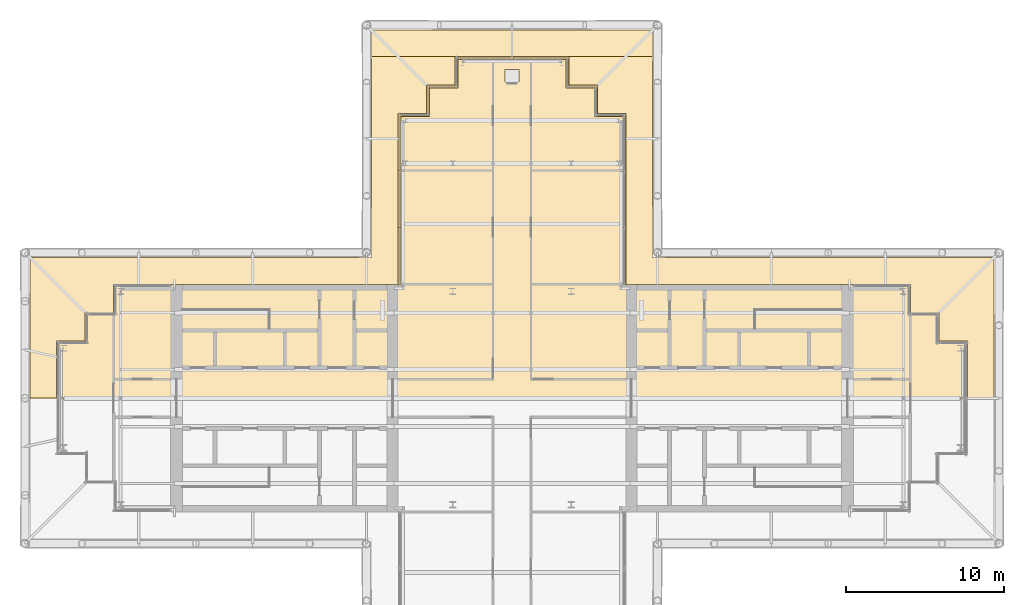
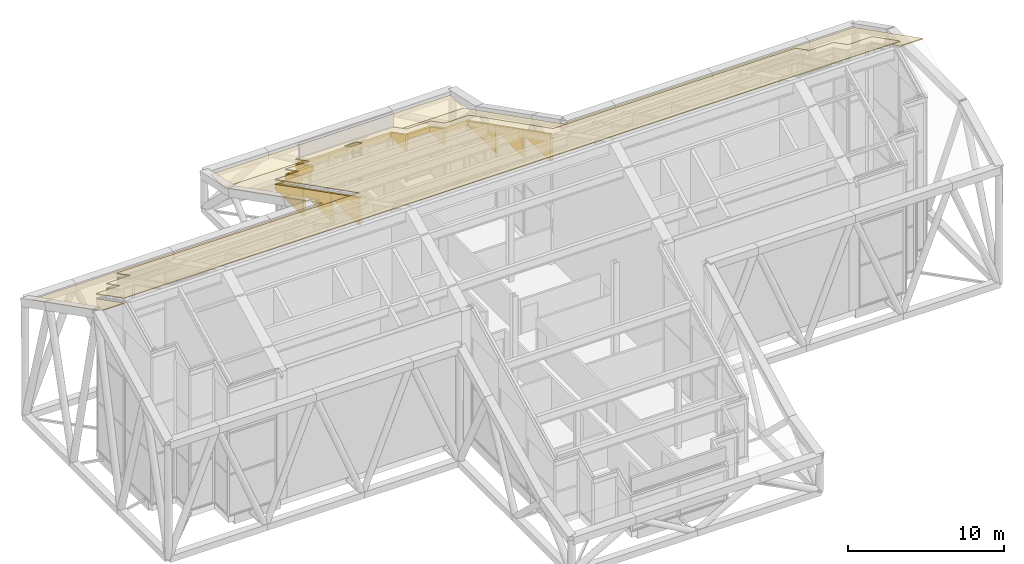
# One storey, part 25 of 25: 20 coverings, 1 opening.
"""IFC4 building model written with IfcOpenShell, lengths in metres."""

from ifc_helpers import new_model, si_unit, direction, frame, frame_2d, origin, place, context, subcontext, project, spatial, polyline, rectangle, outline, extrude, material, layer, layer_set, type_object, element, save


model = new_model("IFC4")

# Units and contexts
model_context = context("Model", 3, precision=1e-05, world=origin(), true_north=direction((0.0, 1.0)))
body_context = subcontext(model_context, "Body", "Model", "MODEL_VIEW")
ifc_project = project(units=[si_unit("LENGTHUNIT", "METRE"), si_unit("AREAUNIT", "SQUARE_METRE"), si_unit("VOLUMEUNIT", "CUBIC_METRE"), si_unit("PLANEANGLEUNIT", "RADIAN"), si_unit("MASSUNIT", "GRAM", prefix="KILO")], contexts=[model_context])

# Site, building, storey
site_placement = place(None, origin())
site = spatial("IfcSite", under=ifc_project, at=site_placement, CompositionType="ELEMENT")
building_placement = place(site_placement, origin())
building = spatial("IfcBuilding", under=site, at=building_placement, Name="Fustian Cross Tower", CompositionType="ELEMENT")
storey_placement = place(building_placement, frame((0.0, 0.0, 247.5)))
storey = spatial("IfcBuildingStorey", under=building, at=storey_placement, Name="L77", CompositionType="ELEMENT", Elevation=247.5)

# Coverings
ifc_material_1 = material(Name="Dark metal cladding on steel framing", Category="steel")
ifc_layer_1 = layer(ifc_material_1, 0.179931640625)
ifc_layer_set_1 = layer_set([ifc_layer_1], Name="Dark metal cladding on steel framing")
covering_type_1 = type_object("IfcCoveringType", Name="CROWN CLADDING PANEL 180", PredefinedType="CLADDING", material=ifc_layer_set_1)
covering_1_placement = place(storey_placement, frame((7.110107421875, 7.199951171875, 7.880615234375), z_axis=(0.0, 0.0, 1.0), x_axis=(0.0, 1.0, 0.0)))
element("IfcCovering", 1, at=covering_1_placement, inside=storey, type_object=covering_type_1, Name="Crown cladding 13", PredefinedType="CLADDING", context=body_context, shape_type="SweptSolid", body=[
    extrude(outline(polyline([(0.0, 0.0), (3.5400390625, 0.0), (3.5400390625, 0.349853515625), (0.0, 2.15283203125), (0.0, 0.0)])), frame((0.0, 0.08984375, 0.0), z_axis=(0.0, -1.0, 0.0), x_axis=(1.0, 0.0, 0.0)), (0.0, 0.0, 1.0), 0.179931640625),
])
covering_2_placement = place(storey_placement, frame((7.110107421875, 10.739990234375, 6.077880859375), z_axis=(0.0, 0.0, 1.0), x_axis=(0.0, 1.0, 0.0)))
element("IfcCovering", 2, at=covering_2_placement, inside=storey, type_object=covering_type_1, Name="Crown cladding 14", PredefinedType="CLADDING", context=body_context, shape_type="SweptSolid", body=[
    extrude(outline(polyline([(0.0, 0.0), (3.5400390625, 0.0), (3.5400390625, 0.349853515625), (0.0, 2.152587890625), (0.0, 0.0)])), frame((0.0, 0.08984375, 0.0), z_axis=(0.0, -1.0, 0.0), x_axis=(1.0, 0.0, 0.0)), (0.0, 0.0, 1.0), 0.179931640625),
])
covering_3_placement = place(storey_placement, frame((7.110107421875, 14.280029296875, 4.27490234375), z_axis=(0.0, 0.0, 1.0), x_axis=(0.0, 1.0, 0.0)))
element("IfcCovering", 3, at=covering_3_placement, inside=storey, type_object=covering_type_1, Name="Crown cladding 15", PredefinedType="CLADDING", context=body_context, shape_type="SweptSolid", body=[
    extrude(outline(polyline([(0.0, 0.0), (3.5400390625, 0.0), (3.5400390625, 0.35009765625), (0.0, 2.15283203125), (0.0, 0.0)])), frame((0.0, 0.08984375, 0.0), z_axis=(0.0, -1.0, 0.0), x_axis=(1.0, 0.0, 0.0)), (0.0, 0.0, 1.0), 0.179931640625),
])
covering_4_placement = place(storey_placement, frame((7.199951171875, 17.909912109375, 4.229248046875), z_axis=(0.0, 0.0, 1.0), x_axis=(-1.0, 0.0, 0.0)))
element("IfcCovering", 4, at=covering_4_placement, inside=storey, type_object=covering_type_1, Name="Crown cladding 16", PredefinedType="CLADDING", context=body_context, shape_type="SweptSolid", body=[
    extrude(rectangle(XDim=1.800048828125, YDim=0.179931640625, at=frame_2d((0.89990234375, 0.0))), origin(), (0.0, 0.0, 1.0), 0.349853515625),
])
covering_5_placement = place(storey_placement, frame((5.31005859375, 17.820068359375, 3.3583984375), z_axis=(0.0, 0.0, 1.0), x_axis=(0.0, 1.0, 0.0)))
element("IfcCovering", 5, at=covering_5_placement, inside=storey, type_object=covering_type_1, Name="Crown cladding 17", PredefinedType="CLADDING", context=body_context, shape_type="SweptSolid", body=[
    extrude(outline(polyline([(0.0, 0.0), (1.800048828125, 0.0), (1.800048828125, 0.349853515625), (0.0, 1.2666015625), (0.0, 0.0)])), frame((0.0, 0.08984375, 0.0), z_axis=(0.0, -1.0, 0.0), x_axis=(1.0, 0.0, 0.0)), (0.0, 0.0, 1.0), 0.179931640625),
])
covering_6_placement = place(storey_placement, frame((5.39990234375, 19.7099609375, 3.3125), z_axis=(0.0, 0.0, 1.0), x_axis=(-1.0, 0.0, 0.0)))
element("IfcCovering", 6, at=covering_6_placement, inside=storey, type_object=covering_type_1, Name="Crown cladding 18", PredefinedType="CLADDING", context=body_context, shape_type="SweptSolid", body=[
    extrude(rectangle(XDim=1.7998046875, YDim=0.179931640625, at=frame_2d((0.89990234375, 0.0))), origin(), (0.0, 0.0, 1.0), 0.35009765625),
])
covering_7_placement = place(storey_placement, frame((3.510009765625, 19.6201171875, 2.441650390625), z_axis=(0.0, 0.0, 1.0), x_axis=(0.0, 1.0, 0.0)))
element("IfcCovering", 7, at=covering_7_placement, inside=storey, type_object=covering_type_1, Name="Crown cladding 19", PredefinedType="CLADDING", context=body_context, shape_type="SweptSolid", body=[
    extrude(outline(polyline([(0.0, 0.0), (1.7998046875, 0.0), (1.800048828125, 0.35009765625), (0.0, 1.2666015625), (0.0, 0.0)])), frame((0.0, 0.08984375, 0.0), z_axis=(0.0, -1.0, 0.0), x_axis=(1.0, 0.0, 0.0)), (0.0, 0.0, 1.0), 0.179931640625),
])
for number, where, z_axis, x_axis, name in (
    (8, (3.60009765625, 21.510009765625, 2.395751953125), (0.0, 0.0, 1.0), (-1.0, 0.0, 0.0), "Crown cladding 20"),
    (9, (0.090087890625, 21.510009765625, 2.395751953125), (0.0, 0.0, 1.0), (-1.0, 0.0, 0.0), "Crown cladding 21"),
):
    element("IfcCovering", number, at=place(storey_placement, frame(where, z_axis=z_axis, x_axis=x_axis)), inside=storey, type_object=covering_type_1, Name=name, PredefinedType="CLADDING", context=body_context, shape_type="SweptSolid", body=[
        extrude(rectangle(XDim=3.510009765625, YDim=0.179931640625, at=frame_2d((1.7548828125, 0.0))), origin(), (0.0, 0.0, 1.0), 0.35009765625),
    ])
covering_8_placement = place(storey_placement, frame((-3.510009765625, 21.60009765625, 2.35009765625), z_axis=(0.0, 0.0, 1.0), x_axis=(0.0, -1.0, 0.0)))
element("IfcCovering", 10, at=covering_8_placement, inside=storey, type_object=covering_type_1, Name="Crown cladding 22", PredefinedType="CLADDING", context=body_context, shape_type="SweptSolid", body=[
    extrude(outline(polyline([(0.0, 0.0), (1.800048828125, 0.0), (1.800048828125, 1.2666015625), (0.0, 0.349853515625), (0.0, 0.0)])), frame((0.0, 0.08984375, 0.0), z_axis=(0.0, -1.0, 0.0), x_axis=(1.0, 0.0, 0.0)), (0.0, 0.0, 1.0), 0.179931640625),
])
covering_9_placement = place(storey_placement, frame((-3.419921875, 19.7099609375, 3.3125), z_axis=(0.0, 0.0, 1.0), x_axis=(-1.0, 0.0, 0.0)))
element("IfcCovering", 11, at=covering_9_placement, inside=storey, type_object=covering_type_1, Name="Crown cladding 23", PredefinedType="CLADDING", context=body_context, shape_type="SweptSolid", body=[
    extrude(rectangle(XDim=1.800048828125, YDim=0.179931640625, at=frame_2d((0.89990234375, 0.0))), origin(), (0.0, 0.0, 1.0), 0.35009765625),
])
covering_10_placement = place(storey_placement, frame((-5.31005859375, 19.800048828125, 3.2666015625), z_axis=(0.0, 0.0, 1.0), x_axis=(0.0, -1.0, 0.0)))
element("IfcCovering", 12, at=covering_10_placement, inside=storey, type_object=covering_type_1, Name="Crown cladding 24", PredefinedType="CLADDING", context=body_context, shape_type="SweptSolid", body=[
    extrude(outline(polyline([(0.0, 0.0), (1.800048828125, 0.0), (1.800048828125, 1.266845703125), (0.0, 0.35009765625), (0.0, 0.0)])), frame((0.0, 0.08984375, 0.0), z_axis=(0.0, -1.0, 0.0), x_axis=(1.0, 0.0, 0.0)), (0.0, 0.0, 1.0), 0.179931640625),
])
covering_11_placement = place(storey_placement, frame((-5.219970703125, 17.909912109375, 4.229248046875), z_axis=(0.0, 0.0, 1.0), x_axis=(-1.0, 0.0, 0.0)))
element("IfcCovering", 13, at=covering_11_placement, inside=storey, type_object=covering_type_1, Name="Crown cladding 25", PredefinedType="CLADDING", context=body_context, shape_type="SweptSolid", body=[
    extrude(rectangle(XDim=1.800048828125, YDim=0.179931640625, at=frame_2d((0.89990234375, 0.0))), origin(), (0.0, 0.0, 1.0), 0.349853515625),
])
covering_12_placement = place(storey_placement, frame((-7.110107421875, 18.0, 4.183349609375), z_axis=(0.0, 0.0, 1.0), x_axis=(0.0, -1.0, 0.0)))
element("IfcCovering", 14, at=covering_12_placement, inside=storey, type_object=covering_type_1, Name="Crown cladding 26", PredefinedType="CLADDING", context=body_context, shape_type="SweptSolid", body=[
    extrude(outline(polyline([(0.0, 0.0), (3.60009765625, 0.0), (3.60009765625, 2.183349609375), (0.0, 0.35009765625), (0.0, 0.0)])), frame((0.0, 0.08984375, 0.0), z_axis=(0.0, -1.0, 0.0), x_axis=(1.0, 0.0, 0.0)), (0.0, 0.0, 1.0), 0.179931640625),
])
covering_13_placement = place(storey_placement, frame((-7.110107421875, 14.39990234375, 6.0166015625), z_axis=(0.0, 0.0, 1.0), x_axis=(0.0, -1.0, 0.0)))
element("IfcCovering", 15, at=covering_13_placement, inside=storey, type_object=covering_type_1, Name="Crown cladding 27", PredefinedType="CLADDING", context=body_context, shape_type="SweptSolid", body=[
    extrude(outline(polyline([(0.0, 0.0), (3.599853515625, 0.0), (3.60009765625, 2.183349609375), (0.0, 0.35009765625), (0.0, 0.0)])), frame((0.0, 0.08984375, 0.0), z_axis=(0.0, -1.0, 0.0), x_axis=(1.0, 0.0, 0.0)), (0.0, 0.0, 1.0), 0.179931640625),
])
covering_14_placement = place(storey_placement, frame((-7.110107421875, 10.800048828125, 7.85009765625), z_axis=(0.0, 0.0, 1.0), x_axis=(0.0, -1.0, 0.0)))
element("IfcCovering", 16, at=covering_14_placement, inside=storey, type_object=covering_type_1, Name="Crown cladding 28", PredefinedType="CLADDING", context=body_context, shape_type="SweptSolid", body=[
    extrude(outline(polyline([(0.0, 0.0), (3.60009765625, 0.0), (3.60009765625, 2.183349609375), (0.0, 0.349853515625), (0.0, 0.0)])), frame((0.0, 0.08984375, 0.0), z_axis=(0.0, -1.0, 0.0), x_axis=(1.0, 0.0, 0.0)), (0.0, 0.0, 1.0), 0.179931640625),
])
ifc_material_2 = material(Name="Steel S355", Category="steel")
ifc_layer_2 = layer(ifc_material_2, 0.06005859375)
ifc_layer_set_2 = layer_set([ifc_layer_2], Name="Steel S355")
covering_type_2 = type_object("IfcCoveringType", Name="CROWN MAINTENANCE GRATING 60", PredefinedType="FLOORING", material=ifc_layer_set_2)
covering_15_placement = place(storey_placement, frame((-28.800048828125, 3.60009765625, 11.86669921875), z_axis=(-3.1655966e-05, 0.453842480993, 0.891081927459), x_axis=(0.999999999499, 1.4366822e-05, 2.8208059e-05)))
element("IfcCovering", 17, at=covering_15_placement, inside=storey, type_object=covering_type_2, Name="Crown maintenance grating 4", PredefinedType="FLOORING", context=body_context, shape_type="SweptSolid", body=[
    extrude(outline(polyline([(0.0, 0.0), (1.8000488272230855, 0.0), (1.8000488250137545, 2.0198326390384893), (3.6000976522368404, 2.0198326390384893), (3.6000976604217674, 4.039772025988767), (7.19995117424306, 4.039772025988767), (21.600097651402866, 4.039772025988767), (21.600097669457973, 16.159634003939694), (23.40014649668106, 16.159634003939694), (23.40014649797925, 18.179684192276987), (25.199951184577458, 18.179684192276987), (25.19995118587565, 20.19973438061428), (19.900146501031116, 20.19973438061428), (19.9001464760331, 5.94758031331652), (-1.6999511693941673, 5.94758031331652), (-1.6999511805063607, -4.039989575287572), (-9.483121326126897e-09, -4.039989575287572), (0.0, 0.0)])), origin(), (0.0, 0.0, -1.0), 0.06005859375),
])
covering_16_placement = place(storey_placement, frame((3.60009765625, 19.800048828125, 3.61669921875), z_axis=(3.1655966e-05, 0.453842480993, 0.891081927459), x_axis=(0.999999999499, -1.4366822e-05, -2.8208059e-05)))
element("IfcCovering", 18, at=covering_16_placement, inside=storey, type_object=covering_type_2, Name="Crown maintenance grating 5", PredefinedType="FLOORING", context=body_context, shape_type="SweptSolid", body=[
    extrude(outline(polyline([(0.0, 0.0), (1.7998046865982078, 0.0), (1.7998046878964018, -2.020050188337294), (3.5998535151194875, -2.020050188337294), (3.599853533174593, -14.139912166288221), (18.000000010334396, -14.139912166288221), (21.59985352415569, -14.139912166288221), (21.59985353234062, -16.1598515532385), (23.399902359563704, -16.1598515532385), (23.39990235735437, -18.179684192276987), (25.199951184577458, -18.179684192276987), (25.19995119406058, -22.21967376756456), (26.89990236508382, -22.21967376756456), (26.899902353971623, -12.23210387896047), (5.2998047085443565, -12.23210387896047), (5.299804683546339, 2.020050188337294), (-1.2981940835059128e-09, 2.020050188337294), (0.0, 0.0)])), origin(), (0.0, 0.0, -1.0), 0.06005859375),
])
covering_17_placement = place(storey_placement, frame((3.60009765625, 21.60009765625, 2.699951171875), z_axis=(0.0, 0.0, 1.0), x_axis=(1.0, 0.0, 0.0)))
element("IfcCovering", 19, at=covering_17_placement, inside=storey, type_object=covering_type_2, Name="Crown maintenance grating 6", PredefinedType="FLOORING", context=body_context, shape_type="SweptSolid", body=[
    extrude(outline(polyline([(0.0, 0.0), (5.2998046875, 0.0), (5.2998046875, 1.699951171875), (-12.5, 1.699951171875), (-12.5, 0.0), (-7.2001953125, 0.0), (0.0, 0.0)])), origin(), (0.0, 0.0, -1.0), 0.06005859375),
])

# Covering, opening
ifc_material_3 = material(Name="Dark standing-seam zinc roofing")
ifc_layer_3 = layer(ifc_material_3, 0.0400390625)
ifc_layer_set_3 = layer_set([ifc_layer_3], Name="Dark standing-seam zinc roofing")
covering_type_3 = type_object("IfcCoveringType", Name="CROWN ROOFING STANDING SEAM 40", PredefinedType="ROOFING", material=ifc_layer_set_3)
covering_18_placement = place(storey_placement, frame((-28.800048828125, 3.60009765625, 12.248291015625), z_axis=(0.0, 0.453805918275, 0.891100549062), x_axis=(0.0, -0.891100549062, 0.453805918275)))
covering_18 = element("IfcCovering", 20, at=covering_18_placement, inside=storey, type_object=covering_type_3, Name="Crown roofing north", PredefinedType="ROOFING", context=body_context, shape_type="SweptSolid", body=[
    extrude(outline(polyline([(0.0, 0.0), (4.039989584178494, 0.0), (4.039989584178494, 57.60009765625), (0.0, 57.60009765625), (0.0, 55.800048828125), (-2.0198326344745197, 55.800048828125), (-2.0198326344745197, 54.0), (-4.039882822794025, 54.0), (-4.039882822794025, 50.400146484375), (-4.039882822794025, 36.0), (-16.15974481394504, 36.0), (-16.15974481394504, 34.199951171875), (-18.179684209804027, 34.199951171875), (-18.179684209804027, 32.400146484375), (-20.19973439812353, 32.400146484375), (-20.19973439812353, 25.199951171875), (-18.179684209804027, 25.199951171875), (-18.179684209804027, 23.400146484375), (-16.15974481394504, 23.400146484375), (-16.15974481394504, 21.60009765625), (-4.039882822794025, 21.60009765625), (-4.039882822794025, 7.199951171875), (-4.039882822794025, 3.60009765625), (-2.0198326344745197, 3.60009765625), (-2.0198326344745197, 1.800048828125), (0.0, 1.800048828125), (0.0, 0.0)])), origin(), (0.0, 0.0, -1.0), 0.0400390625),
])
opening_placement = place(covering_18_placement, frame((-18.852783203125, 28.800048828125, 0.02001953125)))
element("IfcOpeningElement", 21, at=opening_placement, cuts=covering_18, Name="Opening RH1 Crown roofing north", PredefinedType="OPENING", context=body_context, shape_type="SweptSolid", body=[
    extrude(rectangle(XDim=0.89990234375, YDim=0.89990234375, at=frame_2d((0.0, 0.0), x_axis=(0.0, 1.0))), origin(), (0.0, 0.0, -1.0), 0.080078125),
])

save(model, "model.ifc")
